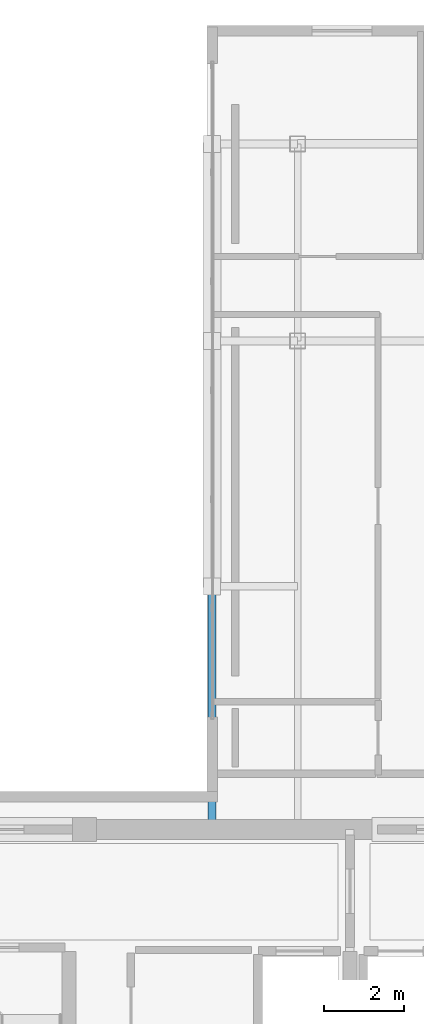
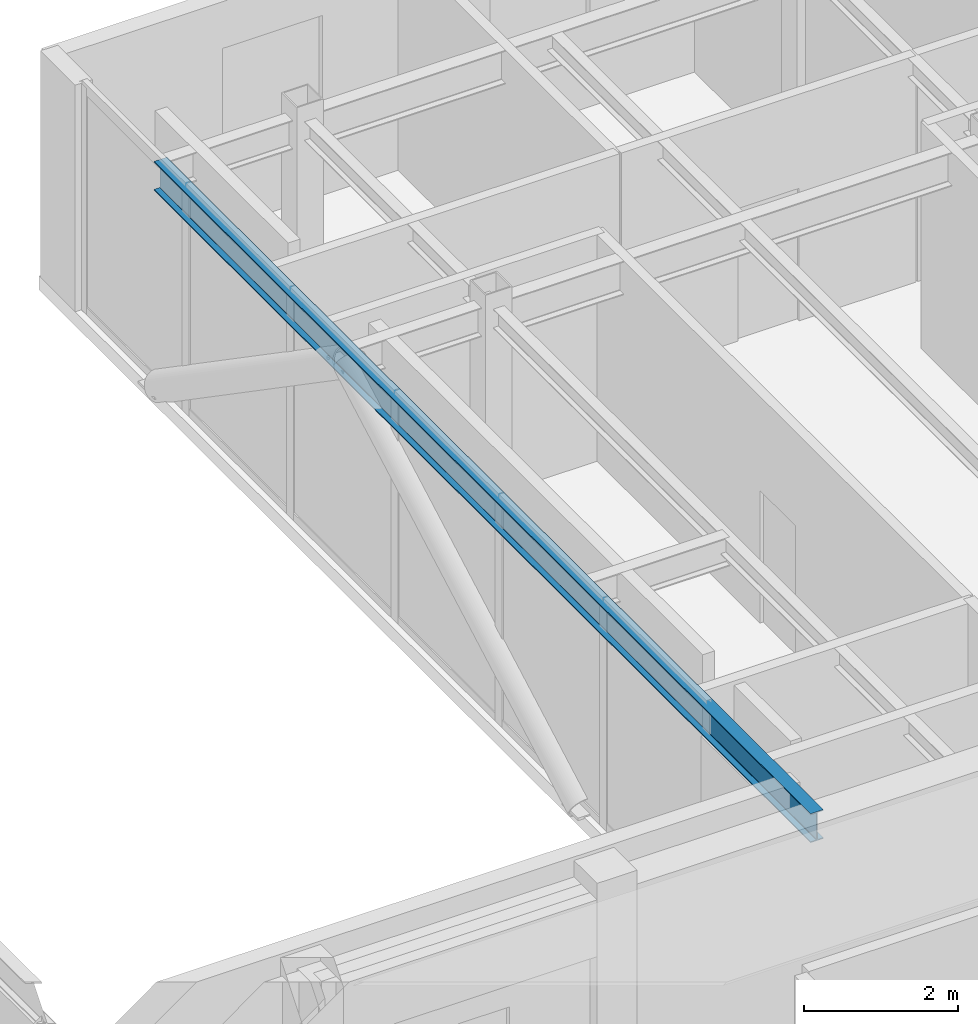
# One storey, part 11 of 19: 1 beam.
"""IFC4 building model written with IfcOpenShell, lengths in metres."""

import ifcopenshell
import ifcopenshell.guid

model = None  # the IFC model being written
_history = None  # IfcOwnerHistory: only IFC2X3 demands one
_inside = {}  # id of a spatial element -> (the spatial element, [elements in it])
_under = {}  # id of a project, library or spatial element -> (it, [spatial elements below it])
_declared = {}  # id of a project -> (the project, [libraries it declares])
_typed = {}  # id of a type object -> (the type object, [elements of that type])
_made_of = {}  # id of a material, layer set ... -> (it, [elements and type objects made of it])


def new_model(schema):
    """Start an empty IFC model of exactly this schema.

    Asked for "IFC4X3", IfcOpenShell would pick the latest addendum, in which some entities
    have other attributes; the version numbers below select the first issue.
    IFC2X3 requires an IfcOwnerHistory on every rooted entity: one is made here for all.
    """
    global model, _history
    if schema == "IFC4X3":
        model = ifcopenshell.file(schema_version=(4, 3, 0, 0))
    else:
        model = ifcopenshell.file(schema=schema)
    _inside.clear()
    _under.clear()
    _declared.clear()
    _typed.clear()
    _made_of.clear()
    _history = None
    if model.schema == "IFC2X3":
        org = make("IfcOrganization", Name="unknown")
        user = make(
            "IfcPersonAndOrganization",
            ThePerson=make("IfcPerson", FamilyName="unknown"),
            TheOrganization=org,
        )
        app = make(
            "IfcApplication",
            ApplicationDeveloper=org,
            Version="unknown",
            ApplicationFullName="unknown",
            ApplicationIdentifier="unknown",
        )
        _history = make(
            "IfcOwnerHistory",
            OwningUser=user,
            OwningApplication=app,
            ChangeAction="ADDED",
            CreationDate=0,
        )
    return model


def make(cls, **values):
    """One entity of the class cls with the attributes given. An attribute that is None is left unset."""
    return model.create_entity(
        cls, **{name: value for name, value in values.items() if value is not None}
    )


def rooted(cls, **values):
    """An entity with a GlobalId (a new one), such as an element, a storey or a relation."""
    return make(cls, GlobalId=ifcopenshell.guid.new(), OwnerHistory=_history, **values)


def si_unit(unit_type, name, prefix=None):
    """IfcSIUnit, for example si_unit("LENGTHUNIT", "METRE", prefix="MILLI")."""
    return make("IfcSIUnit", UnitType=unit_type, Prefix=prefix, Name=name)


def assignment(units):
    """IfcUnitAssignment: the units of a project."""
    return None if units is None else make("IfcUnitAssignment", Units=units)


def point(xyz):
    """IfcCartesianPoint."""
    return None if xyz is None else make("IfcCartesianPoint", Coordinates=xyz)


def direction(xyz):
    """IfcDirection."""
    return None if xyz is None else make("IfcDirection", DirectionRatios=xyz)


def frame(location, z_axis=None, x_axis=None):
    """IfcAxis2Placement3D, a coordinate frame: its origin and axes. An axis left out is left unset."""
    return make(
        "IfcAxis2Placement3D",
        Location=point(location),
        Axis=direction(z_axis),
        RefDirection=direction(x_axis),
    )


def frame_2d(location, x_axis=None):
    """IfcAxis2Placement2D, a coordinate frame in the plane: its origin and x axis."""
    return make(
        "IfcAxis2Placement2D", Location=point(location), RefDirection=direction(x_axis)
    )


def origin():
    """The frame at (0, 0, 0) with its axes left unset."""
    return frame((0.0, 0.0, 0.0))


def origin_2d():
    """The frame at (0, 0) in the plane with its x axis left unset."""
    return frame_2d((0.0, 0.0))


def place(relative_to, where):
    """IfcLocalPlacement: puts the frame where relative to a parent placement (None: the world)."""
    return make(
        "IfcLocalPlacement", PlacementRelTo=relative_to, RelativePlacement=where
    )


def context(
    kind, dimensions, precision=None, world=None, true_north=None, identifier=None
):
    """IfcGeometricRepresentationContext, for example the 3D "Model" context."""
    return make(
        "IfcGeometricRepresentationContext",
        ContextIdentifier=identifier,
        ContextType=kind,
        CoordinateSpaceDimension=dimensions,
        Precision=precision,
        WorldCoordinateSystem=world,
        TrueNorth=true_north,
    )


def subcontext(parent, identifier, kind, view, scale=None):
    """IfcGeometricRepresentationSubContext, for example "Body" below "Model"."""
    return make(
        "IfcGeometricRepresentationSubContext",
        ContextIdentifier=identifier,
        ContextType=kind,
        ParentContext=parent,
        TargetScale=scale,
        TargetView=view,
    )


def project(units=None, contexts=None):
    """IfcProject with its units and contexts."""
    return rooted(
        "IfcProject",
        Name="project",
        RepresentationContexts=contexts,
        UnitsInContext=assignment(units),
    )


def spatial(cls, under=None, at=None, **own):
    """A site, building, storey or space (cls), placed at a placement, below another one or the project."""
    s = rooted(cls, ObjectPlacement=at, **own)
    if under is not None:
        _under.setdefault(under.id(), (under, []))[1].append(s)
    return s


def profile(cls, at=None, kind="AREA", **sizes):
    """A parametric profile (cls). Its sizes go by their IFC names, for example OverallWidth=200.0."""
    return make(cls, ProfileType=kind, Position=at, **sizes)


def i_section(**sizes):
    """IfcIShapeProfileDef."""
    return profile("IfcIShapeProfileDef", **sizes)


def extrude(swept, where, along, depth):
    """IfcExtrudedAreaSolid: the profile swept, set in the frame where, extruded along a direction by depth."""
    return make(
        "IfcExtrudedAreaSolid",
        SweptArea=swept,
        Position=where,
        ExtrudedDirection=direction(along),
        Depth=depth,
    )


def shape(context_of_items, identifier, shape_type, items):
    """IfcShapeRepresentation: the items that make up one representation, for example the "Body"."""
    return make(
        "IfcShapeRepresentation",
        ContextOfItems=context_of_items,
        RepresentationIdentifier=identifier,
        RepresentationType=shape_type,
        Items=items,
    )


def material(Name=None, Category=None):
    """IfcMaterial."""
    return make("IfcMaterial", Name=Name, Category=Category)


def material_profile(
    of_material, cross_section, Name=None, Category=None, Priority=None
):
    """IfcMaterialProfile: a cross section and its material."""
    return make(
        "IfcMaterialProfile",
        Name=Name,
        Material=of_material,
        Profile=cross_section,
        Priority=Priority,
        Category=Category,
    )


def profile_set(profiles, Name=None, composite=None):
    """IfcMaterialProfileSet."""
    return make(
        "IfcMaterialProfileSet",
        Name=Name,
        MaterialProfiles=profiles,
        CompositeProfile=composite,
    )


def made_of(thing, what):
    """Note that an element or type object is made of a material, layer set ...; save() writes the relation."""
    if what is not None:
        _made_of.setdefault(what.id(), (what, []))[1].append(thing)
    return thing


def type_object(cls, material=None, **own):
    """A type object (cls), such as IfcWallType, which elements share."""
    return made_of(rooted(cls, **own), material)


def element(
    cls,
    number,
    at=None,
    inside=None,
    cuts=None,
    type_object=None,
    material=None,
    context=None,
    identifier="Body",
    shape_type=None,
    held_by="IfcProductDefinitionShape",
    body=None,
    shapes=None,
    **own,
):
    """One element of the class cls, such as IfcWall. Its Tag is "e" and its number.

    at: its placement. inside: the storey or other place that contains it. cuts: it is an
    opening in that element (IfcRelVoidsElement). A single representation is given by context,
    identifier, shape_type and body (its items); several are given by shapes. held_by: the class
    of the entity that holds the representations. save() writes the other relations.
    """
    e = rooted(cls, Tag="e%d" % number, ObjectPlacement=at, **own)
    if body is not None:
        shapes = [shape(context, identifier, shape_type, body)]
    if shapes is not None:
        e.Representation = make(held_by, Representations=shapes)
    if inside is not None:
        _inside.setdefault(inside.id(), (inside, []))[1].append(e)
    if cuts is not None:
        rooted(
            "IfcRelVoidsElement", RelatingBuildingElement=cuts, RelatedOpeningElement=e
        )
    if type_object is not None:
        _typed.setdefault(type_object.id(), (type_object, []))[1].append(e)
    return made_of(e, material)


def aggregate(whole, parts):
    """IfcRelAggregates: a whole, such as a stair, and the parts it consists of."""
    return rooted("IfcRelAggregates", RelatingObject=whole, RelatedObjects=parts)


def save(model, path):
    """Write the relations noted so far, then the file.

    IfcRelAggregates (storeys below a building ...), IfcRelContainedInSpatialStructure (elements
    in a storey), IfcRelDefinesByType, IfcRelAssociatesMaterial and IfcRelDeclares: one each for
    every whole, place, type object, material and project.
    """
    for whole, parts in _under.values():
        aggregate(whole, parts)
    for where, things in _inside.values():
        rooted(
            "IfcRelContainedInSpatialStructure",
            RelatedElements=things,
            RelatingStructure=where,
        )
    for kind, things in _typed.values():
        rooted("IfcRelDefinesByType", RelatedObjects=things, RelatingType=kind)
    for what, things in _made_of.values():
        rooted("IfcRelAssociatesMaterial", RelatedObjects=things, RelatingMaterial=what)
    for by, libraries in _declared.values():
        rooted("IfcRelDeclares", RelatingContext=by, RelatedDefinitions=libraries)
    model.write(path)


model = new_model("IFC4")

# Units and contexts
model_context = context("Model", 3, precision=1e-05, world=origin(), true_north=direction((0.0, 1.0)))
body_context = subcontext(model_context, "Body", "Model", "MODEL_VIEW")
ifc_project = project(units=[si_unit("LENGTHUNIT", "METRE"), si_unit("AREAUNIT", "SQUARE_METRE"), si_unit("VOLUMEUNIT", "CUBIC_METRE"), si_unit("PLANEANGLEUNIT", "RADIAN"), si_unit("MASSUNIT", "GRAM", prefix="KILO")], contexts=[model_context])

# Site, building, storey
site_placement = place(None, origin())
site = spatial("IfcSite", under=ifc_project, at=site_placement, CompositionType="ELEMENT")
building_placement = place(site_placement, origin())
building = spatial("IfcBuilding", under=site, at=building_placement, Name="Ventersveld Concourse Tower", CompositionType="ELEMENT")
storey_placement = place(building_placement, frame((0.0, 0.0, 345.199951171875)))
storey = spatial("IfcBuildingStorey", under=building, at=storey_placement, Name="L85", CompositionType="ELEMENT", Elevation=345.199951171875)

# Beam
ifc_material = material(Name="Structural steel S355J2", Category="steel")
ifc_material_profile = material_profile(ifc_material, i_section(OverallWidth=0.19140625, OverallDepth=0.4599609375, WebThickness=0.010009765625, FlangeThickness=0.01611328125, FilletRadius=0.01025390625, at=origin_2d()), Name="UB 457x191x82")
ifc_profile_set = profile_set([ifc_material_profile], Name="Structural steel S355J2")
beam_type = type_object("IfcBeamType", Name="SPD-UB457", PredefinedType="SPANDREL", material=ifc_profile_set)
beam_placement = place(storey_placement, frame((34.1201171875, 11.449951171875, 3.360107421875), z_axis=(0.0, 1.0, 0.0), x_axis=(-1.0, 0.0, 0.0)))
element("IfcBeam", 1, at=beam_placement, inside=storey, type_object=beam_type, Name="L85 Wind Portal East Edge Spandrel", PredefinedType="SPANDREL", context=body_context, shape_type="SweptSolid", body=[
    extrude(i_section(OverallWidth=0.19140625, OverallDepth=0.4599609375, WebThickness=0.010009765625, FlangeThickness=0.01611328125, FilletRadius=0.01025390625, at=origin_2d()), origin(), (0.0, 0.0, 1.0), 17.050048828125),
])

save(model, "model.ifc")
